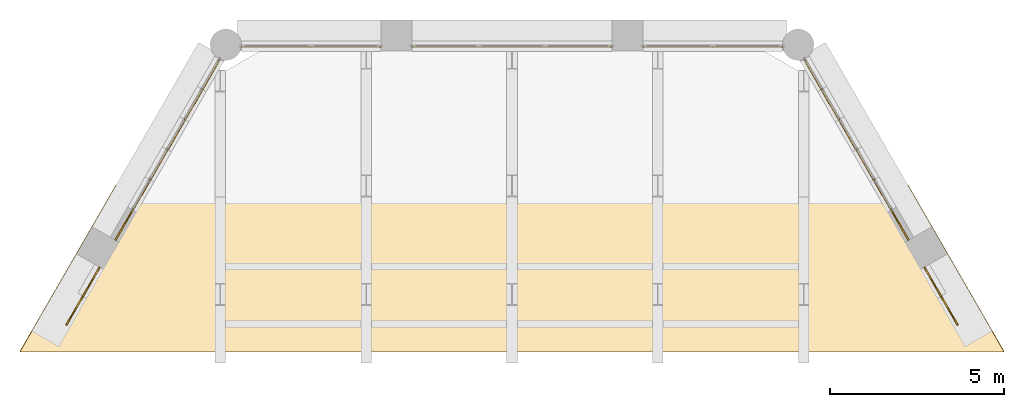
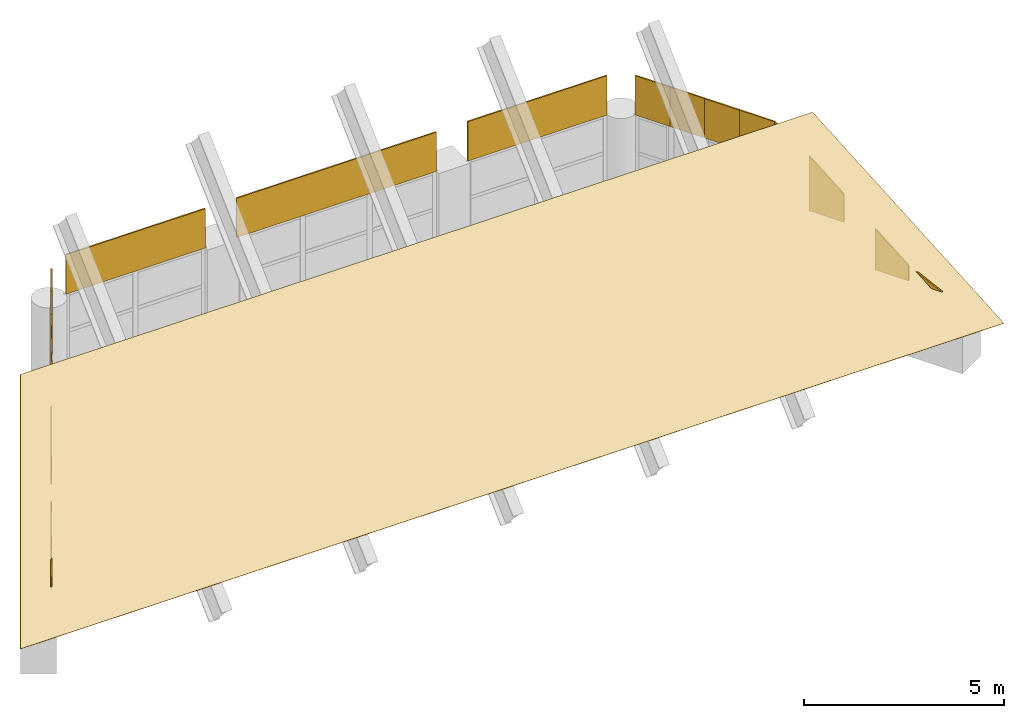
# One storey, part 11 of 11: 20 coverings.
"""IFC4 building model written with IfcOpenShell, lengths in metres."""

import ifcopenshell
import ifcopenshell.guid

model = None  # the IFC model being written
_history = None  # IfcOwnerHistory: only IFC2X3 demands one
_inside = {}  # id of a spatial element -> (the spatial element, [elements in it])
_under = {}  # id of a project, library or spatial element -> (it, [spatial elements below it])
_declared = {}  # id of a project -> (the project, [libraries it declares])
_typed = {}  # id of a type object -> (the type object, [elements of that type])
_made_of = {}  # id of a material, layer set ... -> (it, [elements and type objects made of it])


def new_model(schema):
    """Start an empty IFC model of exactly this schema.

    Asked for "IFC4X3", IfcOpenShell would pick the latest addendum, in which some entities
    have other attributes; the version numbers below select the first issue.
    IFC2X3 requires an IfcOwnerHistory on every rooted entity: one is made here for all.
    """
    global model, _history
    if schema == "IFC4X3":
        model = ifcopenshell.file(schema_version=(4, 3, 0, 0))
    else:
        model = ifcopenshell.file(schema=schema)
    _inside.clear()
    _under.clear()
    _declared.clear()
    _typed.clear()
    _made_of.clear()
    _history = None
    if model.schema == "IFC2X3":
        org = make("IfcOrganization", Name="unknown")
        user = make(
            "IfcPersonAndOrganization",
            ThePerson=make("IfcPerson", FamilyName="unknown"),
            TheOrganization=org,
        )
        app = make(
            "IfcApplication",
            ApplicationDeveloper=org,
            Version="unknown",
            ApplicationFullName="unknown",
            ApplicationIdentifier="unknown",
        )
        _history = make(
            "IfcOwnerHistory",
            OwningUser=user,
            OwningApplication=app,
            ChangeAction="ADDED",
            CreationDate=0,
        )
    return model


def make(cls, **values):
    """One entity of the class cls with the attributes given. An attribute that is None is left unset."""
    return model.create_entity(
        cls, **{name: value for name, value in values.items() if value is not None}
    )


def rooted(cls, **values):
    """An entity with a GlobalId (a new one), such as an element, a storey or a relation."""
    return make(cls, GlobalId=ifcopenshell.guid.new(), OwnerHistory=_history, **values)


def si_unit(unit_type, name, prefix=None):
    """IfcSIUnit, for example si_unit("LENGTHUNIT", "METRE", prefix="MILLI")."""
    return make("IfcSIUnit", UnitType=unit_type, Prefix=prefix, Name=name)


def assignment(units):
    """IfcUnitAssignment: the units of a project."""
    return None if units is None else make("IfcUnitAssignment", Units=units)


def point(xyz):
    """IfcCartesianPoint."""
    return None if xyz is None else make("IfcCartesianPoint", Coordinates=xyz)


def direction(xyz):
    """IfcDirection."""
    return None if xyz is None else make("IfcDirection", DirectionRatios=xyz)


def frame(location, z_axis=None, x_axis=None):
    """IfcAxis2Placement3D, a coordinate frame: its origin and axes. An axis left out is left unset."""
    return make(
        "IfcAxis2Placement3D",
        Location=point(location),
        Axis=direction(z_axis),
        RefDirection=direction(x_axis),
    )


def origin():
    """The frame at (0, 0, 0) with its axes left unset."""
    return frame((0.0, 0.0, 0.0))


def place(relative_to, where):
    """IfcLocalPlacement: puts the frame where relative to a parent placement (None: the world)."""
    return make(
        "IfcLocalPlacement", PlacementRelTo=relative_to, RelativePlacement=where
    )


def context(
    kind, dimensions, precision=None, world=None, true_north=None, identifier=None
):
    """IfcGeometricRepresentationContext, for example the 3D "Model" context."""
    return make(
        "IfcGeometricRepresentationContext",
        ContextIdentifier=identifier,
        ContextType=kind,
        CoordinateSpaceDimension=dimensions,
        Precision=precision,
        WorldCoordinateSystem=world,
        TrueNorth=true_north,
    )


def subcontext(parent, identifier, kind, view, scale=None):
    """IfcGeometricRepresentationSubContext, for example "Body" below "Model"."""
    return make(
        "IfcGeometricRepresentationSubContext",
        ContextIdentifier=identifier,
        ContextType=kind,
        ParentContext=parent,
        TargetScale=scale,
        TargetView=view,
    )


def project(units=None, contexts=None):
    """IfcProject with its units and contexts."""
    return rooted(
        "IfcProject",
        Name="project",
        RepresentationContexts=contexts,
        UnitsInContext=assignment(units),
    )


def spatial(cls, under=None, at=None, **own):
    """A site, building, storey or space (cls), placed at a placement, below another one or the project."""
    s = rooted(cls, ObjectPlacement=at, **own)
    if under is not None:
        _under.setdefault(under.id(), (under, []))[1].append(s)
    return s


def polyline(points):
    """IfcPolyline through the points."""
    return make("IfcPolyline", Points=[point(p) for p in points])


def outline(outer, holes=None, kind="AREA"):
    """IfcArbitraryClosedProfileDef: a profile drawn as a closed curve; with holes, ...WithVoids."""
    if holes is None:
        return make("IfcArbitraryClosedProfileDef", ProfileType=kind, OuterCurve=outer)
    return make(
        "IfcArbitraryProfileDefWithVoids",
        ProfileType=kind,
        OuterCurve=outer,
        InnerCurves=holes,
    )


def extrude(swept, where, along, depth):
    """IfcExtrudedAreaSolid: the profile swept, set in the frame where, extruded along a direction by depth."""
    return make(
        "IfcExtrudedAreaSolid",
        SweptArea=swept,
        Position=where,
        ExtrudedDirection=direction(along),
        Depth=depth,
    )


def shape(context_of_items, identifier, shape_type, items):
    """IfcShapeRepresentation: the items that make up one representation, for example the "Body"."""
    return make(
        "IfcShapeRepresentation",
        ContextOfItems=context_of_items,
        RepresentationIdentifier=identifier,
        RepresentationType=shape_type,
        Items=items,
    )


def material(Name=None, Category=None):
    """IfcMaterial."""
    return make("IfcMaterial", Name=Name, Category=Category)


def layer(
    of_material, thickness, ventilated=None, Name=None, Category=None, Priority=None
):
    """IfcMaterialLayer: one layer of a wall or slab, of a material (None: an air gap)."""
    return make(
        "IfcMaterialLayer",
        Material=of_material,
        LayerThickness=thickness,
        IsVentilated=ventilated,
        Name=Name,
        Category=Category,
        Priority=Priority,
    )


def layer_set(layers, Name=None):
    """IfcMaterialLayerSet."""
    return make("IfcMaterialLayerSet", MaterialLayers=layers, LayerSetName=Name)


def made_of(thing, what):
    """Note that an element or type object is made of a material, layer set ...; save() writes the relation."""
    if what is not None:
        _made_of.setdefault(what.id(), (what, []))[1].append(thing)
    return thing


def type_object(cls, material=None, **own):
    """A type object (cls), such as IfcWallType, which elements share."""
    return made_of(rooted(cls, **own), material)


def element(
    cls,
    number,
    at=None,
    inside=None,
    cuts=None,
    type_object=None,
    material=None,
    context=None,
    identifier="Body",
    shape_type=None,
    held_by="IfcProductDefinitionShape",
    body=None,
    shapes=None,
    **own,
):
    """One element of the class cls, such as IfcWall. Its Tag is "e" and its number.

    at: its placement. inside: the storey or other place that contains it. cuts: it is an
    opening in that element (IfcRelVoidsElement). A single representation is given by context,
    identifier, shape_type and body (its items); several are given by shapes. held_by: the class
    of the entity that holds the representations. save() writes the other relations.
    """
    e = rooted(cls, Tag="e%d" % number, ObjectPlacement=at, **own)
    if body is not None:
        shapes = [shape(context, identifier, shape_type, body)]
    if shapes is not None:
        e.Representation = make(held_by, Representations=shapes)
    if inside is not None:
        _inside.setdefault(inside.id(), (inside, []))[1].append(e)
    if cuts is not None:
        rooted(
            "IfcRelVoidsElement", RelatingBuildingElement=cuts, RelatedOpeningElement=e
        )
    if type_object is not None:
        _typed.setdefault(type_object.id(), (type_object, []))[1].append(e)
    return made_of(e, material)


def aggregate(whole, parts):
    """IfcRelAggregates: a whole, such as a stair, and the parts it consists of."""
    return rooted("IfcRelAggregates", RelatingObject=whole, RelatedObjects=parts)


def save(model, path):
    """Write the relations noted so far, then the file.

    IfcRelAggregates (storeys below a building ...), IfcRelContainedInSpatialStructure (elements
    in a storey), IfcRelDefinesByType, IfcRelAssociatesMaterial and IfcRelDeclares: one each for
    every whole, place, type object, material and project.
    """
    for whole, parts in _under.values():
        aggregate(whole, parts)
    for where, things in _inside.values():
        rooted(
            "IfcRelContainedInSpatialStructure",
            RelatedElements=things,
            RelatingStructure=where,
        )
    for kind, things in _typed.values():
        rooted("IfcRelDefinesByType", RelatedObjects=things, RelatingType=kind)
    for what, things in _made_of.values():
        rooted("IfcRelAssociatesMaterial", RelatedObjects=things, RelatingMaterial=what)
    for by, libraries in _declared.values():
        rooted("IfcRelDeclares", RelatingContext=by, RelatedDefinitions=libraries)
    model.write(path)


model = new_model("IFC4")

# Units and contexts
model_context = context("Model", 3, precision=1e-05, world=origin(), true_north=direction((0.0, 1.0)))
body_context = subcontext(model_context, "Body", "Model", "MODEL_VIEW")
ifc_project = project(units=[si_unit("LENGTHUNIT", "METRE"), si_unit("AREAUNIT", "SQUARE_METRE"), si_unit("VOLUMEUNIT", "CUBIC_METRE"), si_unit("PLANEANGLEUNIT", "RADIAN"), si_unit("MASSUNIT", "GRAM", prefix="KILO")], contexts=[model_context])

# Site, building, storey
site_placement = place(None, origin())
site = spatial("IfcSite", under=ifc_project, at=site_placement, CompositionType="ELEMENT")
building_placement = place(site_placement, origin())
building = spatial("IfcBuilding", under=site, at=building_placement, Name="Ostrander Bayou Hotel Tower", CompositionType="ELEMENT")
storey_placement = place(building_placement, frame((0.0, 0.0, 297.5)))
storey = spatial("IfcBuildingStorey", under=building, at=storey_placement, Name="Roof 73", CompositionType="ELEMENT", Elevation=297.5)

# Coverings
ifc_material = material(Name="Reconstituted stone panels", Category="masonry")
ifc_layer = layer(ifc_material, 0.0400390625)
ifc_layer_set = layer_set([ifc_layer], Name="CV3 crown cladding 40 mm")
covering_type = type_object("IfcCoveringType", Name="CV3 crown cladding 40 mm", PredefinedType="CLADDING", material=ifc_layer_set)
covering_1_placement = place(storey_placement, frame((14.16943359375, 7.74462890625, 0.0400390625), z_axis=(0.0, -0.685624560176, 0.727955330005), x_axis=(-1.0, 0.0, 0.0)))
element("IfcCovering", 1, at=covering_1_placement, inside=storey, type_object=covering_type, Name="CV3 crown cladding L73", PredefinedType="CLADDING", context=body_context, shape_type="SweptSolid", body=[
    extrude(outline(polyline([(0.0, 0.0), (28.3388671875, 0.0), (25.58056640625, -6.563358813811607), (2.75830078125, -6.563358813811607), (0.0, 0.0)])), origin(), (0.0, 0.0, -1.0), 0.0400390625),
])
covering_2_placement = place(storey_placement, frame((7.7958984375, 16.550048828125, 3.300048828125), z_axis=(0.0, 1.0, 0.0), x_axis=(-1.0, 0.0, 0.0)))
element("IfcCovering", 2, at=covering_2_placement, inside=storey, type_object=covering_type, Name="CV3 crown fascia L73", PredefinedType="CLADDING", context=body_context, shape_type="SweptSolid", body=[
    extrude(outline(polyline([(0.0, 0.0), (4.0166015625, 0.0), (4.0166015625, 1.199951171875), (0.0, 1.199951171875), (0.0, 0.0)])), origin(), (0.0, 0.0, -1.0), 0.0400390625),
])
covering_3_placement = place(storey_placement, frame((2.87939453125, 16.550048828125, 3.300048828125), z_axis=(0.0, 1.0, 0.0), x_axis=(-1.0, 0.0, 0.0)))
element("IfcCovering", 3, at=covering_3_placement, inside=storey, type_object=covering_type, Name="CV3 crown fascia L73", PredefinedType="CLADDING", context=body_context, shape_type="SweptSolid", body=[
    extrude(outline(polyline([(0.0, 0.0), (5.7587890625, 0.0), (5.7587890625, 1.199951171875), (0.0, 1.199951171875), (0.0, 0.0)])), origin(), (0.0, 0.0, -1.0), 0.0400390625),
])
covering_4_placement = place(storey_placement, frame((-3.779296875, 16.550048828125, 3.300048828125), z_axis=(0.0, 1.0, 0.0), x_axis=(-1.0, 0.0, 0.0)))
element("IfcCovering", 4, at=covering_4_placement, inside=storey, type_object=covering_type, Name="CV3 crown fascia L73", PredefinedType="CLADDING", context=body_context, shape_type="SweptSolid", body=[
    extrude(outline(polyline([(0.0, 0.0), (4.0166015625, 0.0), (4.0166015625, 1.199951171875), (0.0, 1.199951171875), (0.0, 0.0)])), origin(), (0.0, 0.0, -1.0), 0.0400390625),
])
covering_5_placement = place(storey_placement, frame((-8.431884765625, 16.182373046875, 3.300048828125), z_axis=(-0.865942374699, 0.500143783026, 0.0), x_axis=(-0.500143783026, -0.865942374699, 0.0)))
element("IfcCovering", 5, at=covering_5_placement, inside=storey, type_object=covering_type, Name="CV3 crown fascia L73", PredefinedType="CLADDING", context=body_context, shape_type="SweptSolid", body=[
    extrude(outline(polyline([(0.0, 0.0), (1.0031295027587228, 0.0), (1.0031295027587228, 1.1999511718750002), (0.0, 1.1999511718750002), (0.0, 0.0)])), origin(), (0.0, 0.0, -1.0), 0.0400390625),
])
covering_6_placement = place(storey_placement, frame((-8.93359375, 15.313720703125, 3.300048828125), z_axis=(-0.8660032352, 0.500038395149, 0.0), x_axis=(-0.500038395149, -0.8660032352, 0.0)))
element("IfcCovering", 6, at=covering_6_placement, inside=storey, type_object=covering_type, Name="CV3 crown fascia L73", PredefinedType="CLADDING", context=body_context, shape_type="SweptSolid", body=[
    extrude(outline(polyline([(0.0, 0.0), (1.003340921901339, 0.0), (1.003340921901339, 1.199951171875), (0.0, 1.199951171875), (0.0, 0.0)])), origin(), (0.0, 0.0, -1.0), 0.0400390625),
])
covering_7_placement = place(storey_placement, frame((-9.435302734375, 14.44482421875, 3.300048828125), z_axis=(-0.866047774678, 0.499961250474, 0.0), x_axis=(-0.499961250474, -0.866047774678, 0.0)))
element("IfcCovering", 7, at=covering_7_placement, inside=storey, type_object=covering_type, Name="CV3 crown fascia L73", PredefinedType="CLADDING", context=body_context, shape_type="SweptSolid", body=[
    extrude(outline(polyline([(0.0, 0.0), (1.0030074196233945, 0.0), (1.0030074196233945, 1.199951171875), (0.0, 1.199951171875), (0.0, 0.0)])), origin(), (0.0, 0.0, -1.0), 0.0400390625),
])
covering_8_placement = place(storey_placement, frame((-9.936767578125, 13.576171875, 3.300048828125), z_axis=(-0.866108598161, 0.499855875421, 0.0), x_axis=(-0.499855875421, -0.866108598161, 0.0)))
element("IfcCovering", 8, at=covering_8_placement, inside=storey, type_object=covering_type, Name="CV3 crown fascia L73", PredefinedType="CLADDING", context=body_context, shape_type="SweptSolid", body=[
    extrude(outline(polyline([(0.0, 0.0), (1.0032188644939084, 0.0), (1.0032188644939084, 1.1999511718750002), (0.0, 1.1999511718750002), (0.0, 0.0)])), origin(), (0.0, 0.0, -1.0), 0.0400390625),
])
covering_9_placement = place(storey_placement, frame((-10.438232421875, 12.707275390625, 2.9560546875), z_axis=(-0.865942374699, 0.500143783026, 0.0), x_axis=(-0.500143783026, -0.865942374699, 0.0)))
element("IfcCovering", 9, at=covering_9_placement, inside=storey, type_object=covering_type, Name="CV3 crown fascia L73", PredefinedType="CLADDING", context=body_context, shape_type="SweptSolid", body=[
    extrude(outline(polyline([(0.0, 0.0), (1.0031295027587228, 0.0), (1.0031295027587228, 0.849853515625), (0.0, 1.5439453125), (0.0, 0.0)])), origin(), (0.0, 0.0, -1.0), 0.0400390625),
])
covering_10_placement = place(storey_placement, frame((-10.93994140625, 11.838623046875, 2.1376953125), z_axis=(-0.866108598161, 0.499855875421, 0.0), x_axis=(-0.499855875421, -0.866108598161, 0.0)))
element("IfcCovering", 10, at=covering_10_placement, inside=storey, type_object=covering_type, Name="CV3 crown fascia L73", PredefinedType="CLADDING", context=body_context, shape_type="SweptSolid", body=[
    extrude(outline(polyline([(0.0, 0.0), (1.0032188644939084, 0.0), (1.0032188644939084, 0.85009765625), (0.0, 1.668212890625), (0.0, 0.0)])), origin(), (0.0, 0.0, -1.0), 0.0400390625),
])
covering_11_placement = place(storey_placement, frame((-11.8916015625, 10.1904296875, 1.0), z_axis=(-0.866101301373, 0.499868518472, 0.0), x_axis=(-0.499868518472, -0.866101301373, 0.0)))
element("IfcCovering", 11, at=covering_11_placement, inside=storey, type_object=covering_type, Name="CV3 crown fascia L73", PredefinedType="CLADDING", context=body_context, shape_type="SweptSolid", body=[
    extrude(outline(polyline([(0.0, 0.0), (0.9646091253129392, 0.0), (0.9646091253129392, 0.466552734375), (0.0, 1.253662109375), (0.0, 0.0)])), origin(), (0.0, 0.0, -1.0), 0.0400390625),
])
covering_12_placement = place(storey_placement, frame((-12.373779296875, 9.35498046875, 1.0), z_axis=(-0.866054979466, 0.499948769917, 0.0), x_axis=(-0.499948769917, -0.866054979466, 0.0)))
element("IfcCovering", 12, at=covering_12_placement, inside=storey, type_object=covering_type, Name="CV3 crown fascia L73", PredefinedType="CLADDING", context=body_context, shape_type="SweptSolid", body=[
    extrude(outline(polyline([(0.0, 0.0), (0.9649426181809926, 0.0), (0.0, 0.466552734375), (0.0, 0.0)])), origin(), (0.0, 0.0, -1.0), 0.0400390625),
])
covering_13_placement = place(storey_placement, frame((12.856201171875, 8.519287109375, 1.0), z_axis=(0.866054979466, 0.499948769917, 0.0), x_axis=(-0.499948769917, 0.866054979466, 0.0)))
element("IfcCovering", 13, at=covering_13_placement, inside=storey, type_object=covering_type, Name="CV3 crown fascia L73", PredefinedType="CLADDING", context=body_context, shape_type="SweptSolid", body=[
    extrude(outline(polyline([(0.0, 0.0), (0.9649426181809926, 0.0), (0.9649426181809926, 0.466552734375), (0.0, 0.0), (0.0, 0.0)])), origin(), (0.0, 0.0, -1.0), 0.0400390625),
])
covering_14_placement = place(storey_placement, frame((12.373779296875, 9.35498046875, 1.0), z_axis=(0.866101301373, 0.499868518472, 0.0), x_axis=(-0.499868518472, 0.866101301373, 0.0)))
element("IfcCovering", 14, at=covering_14_placement, inside=storey, type_object=covering_type, Name="CV3 crown fascia L73", PredefinedType="CLADDING", context=body_context, shape_type="SweptSolid", body=[
    extrude(outline(polyline([(0.0, 0.0), (0.9646091253129392, 0.0), (0.9646091253129392, 1.253662109375), (0.0, 0.466552734375), (0.0, 0.0)])), origin(), (0.0, 0.0, -1.0), 0.0400390625),
])
covering_15_placement = place(storey_placement, frame((11.44140625, 10.9697265625, 2.1376953125), z_axis=(0.866108598161, 0.499855875421, 0.0), x_axis=(-0.499855875421, 0.866108598161, 0.0)))
element("IfcCovering", 15, at=covering_15_placement, inside=storey, type_object=covering_type, Name="CV3 crown fascia L73", PredefinedType="CLADDING", context=body_context, shape_type="SweptSolid", body=[
    extrude(outline(polyline([(0.0, 0.0), (1.0032188644939084, 0.0), (1.0032188644939084, 1.668212890625), (0.0, 0.85009765625), (0.0, 0.0)])), origin(), (0.0, 0.0, -1.0), 0.0400390625),
])
covering_16_placement = place(storey_placement, frame((10.93994140625, 11.838623046875, 2.9560546875), z_axis=(0.865942374699, 0.500143783026, 0.0), x_axis=(-0.500143783026, 0.865942374699, 0.0)))
element("IfcCovering", 16, at=covering_16_placement, inside=storey, type_object=covering_type, Name="CV3 crown fascia L73", PredefinedType="CLADDING", context=body_context, shape_type="SweptSolid", body=[
    extrude(outline(polyline([(0.0, 0.0), (1.0031295027587228, 0.0), (1.0031295027587228, 1.5439453125), (0.0, 0.849853515625), (0.0, 0.0)])), origin(), (0.0, 0.0, -1.0), 0.0400390625),
])
covering_17_placement = place(storey_placement, frame((10.438232421875, 12.707275390625, 3.300048828125), z_axis=(0.866108598161, 0.499855875421, 0.0), x_axis=(-0.499855875421, 0.866108598161, 0.0)))
element("IfcCovering", 17, at=covering_17_placement, inside=storey, type_object=covering_type, Name="CV3 crown fascia L73", PredefinedType="CLADDING", context=body_context, shape_type="SweptSolid", body=[
    extrude(outline(polyline([(0.0, 0.0), (1.0032188644939084, 0.0), (1.0032188644939084, 1.1999511718750002), (0.0, 1.1999511718750002), (0.0, 0.0)])), origin(), (0.0, 0.0, -1.0), 0.0400390625),
])
covering_18_placement = place(storey_placement, frame((9.936767578125, 13.576171875, 3.300048828125), z_axis=(0.866047774678, 0.499961250474, 0.0), x_axis=(-0.499961250474, 0.866047774678, 0.0)))
element("IfcCovering", 18, at=covering_18_placement, inside=storey, type_object=covering_type, Name="CV3 crown fascia L73", PredefinedType="CLADDING", context=body_context, shape_type="SweptSolid", body=[
    extrude(outline(polyline([(0.0, 0.0), (1.0030074196233945, 0.0), (1.0030074196233945, 1.199951171875), (0.0, 1.199951171875), (0.0, 0.0)])), origin(), (0.0, 0.0, -1.0), 0.0400390625),
])
covering_19_placement = place(storey_placement, frame((9.435302734375, 14.44482421875, 3.300048828125), z_axis=(0.8660032352, 0.500038395149, 0.0), x_axis=(-0.500038395149, 0.8660032352, 0.0)))
element("IfcCovering", 19, at=covering_19_placement, inside=storey, type_object=covering_type, Name="CV3 crown fascia L73", PredefinedType="CLADDING", context=body_context, shape_type="SweptSolid", body=[
    extrude(outline(polyline([(0.0, 0.0), (1.003340921901339, 0.0), (1.003340921901339, 1.199951171875), (0.0, 1.199951171875), (0.0, 0.0)])), origin(), (0.0, 0.0, -1.0), 0.0400390625),
])
covering_20_placement = place(storey_placement, frame((8.93359375, 15.313720703125, 3.300048828125), z_axis=(0.865942374699, 0.500143783026, 0.0), x_axis=(-0.500143783026, 0.865942374699, 0.0)))
element("IfcCovering", 20, at=covering_20_placement, inside=storey, type_object=covering_type, Name="CV3 crown fascia L73", PredefinedType="CLADDING", context=body_context, shape_type="SweptSolid", body=[
    extrude(outline(polyline([(0.0, 0.0), (1.0031295027587228, 0.0), (1.0031295027587228, 1.1999511718750002), (0.0, 1.1999511718750002), (0.0, 0.0)])), origin(), (0.0, 0.0, -1.0), 0.0400390625),
])

save(model, "model.ifc")
